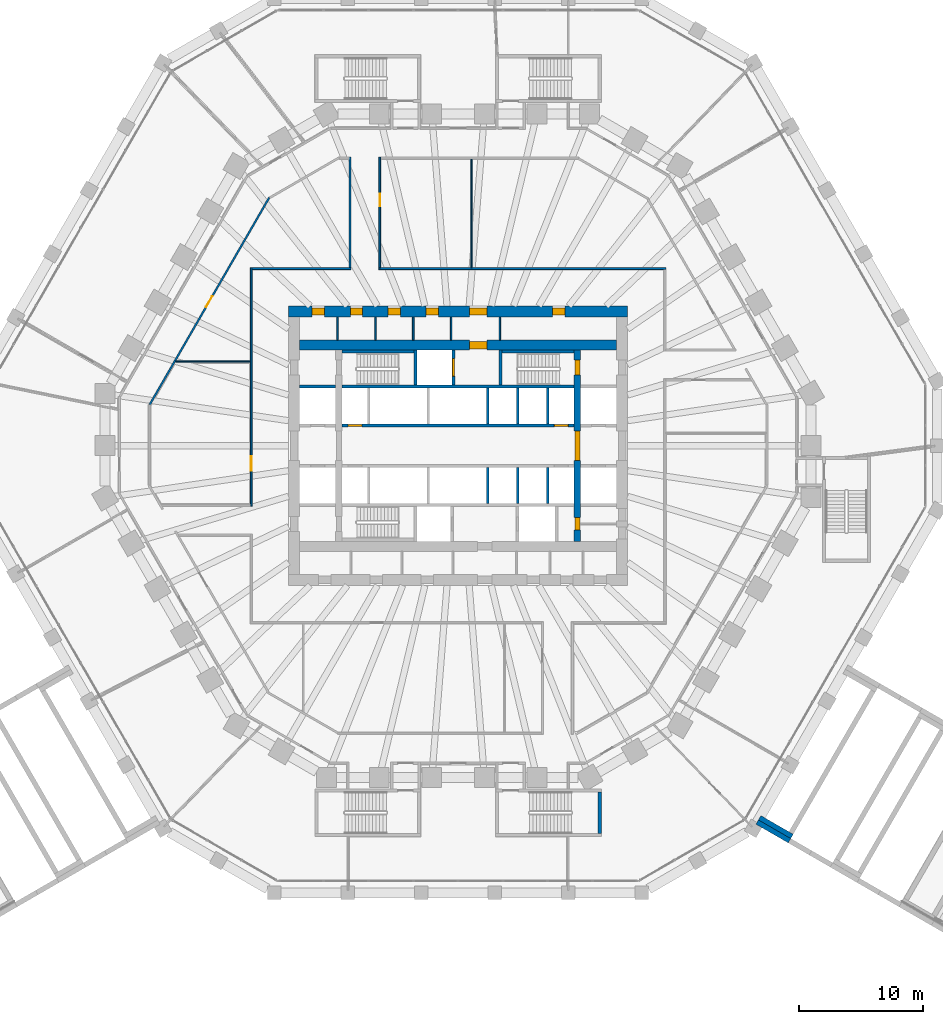
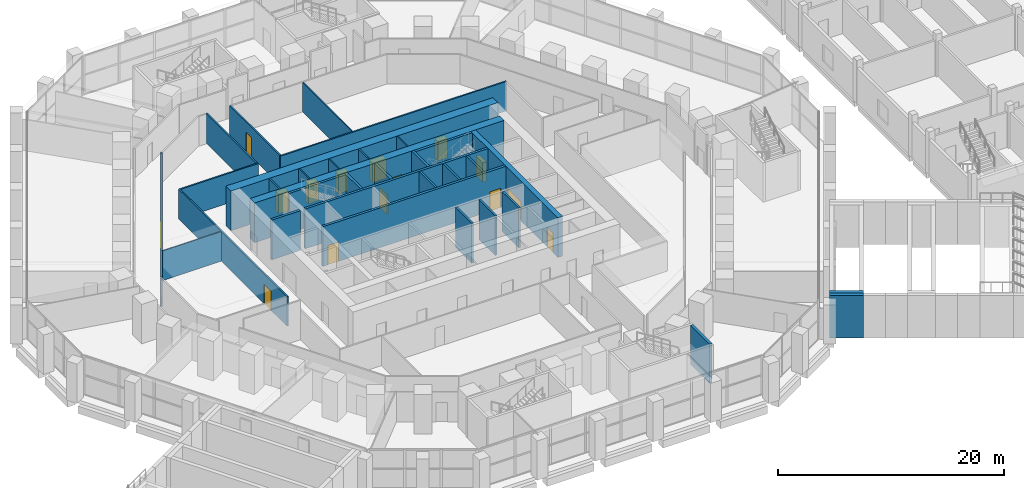
# One storey, part 21 of 38: 33 walls, 16 doors, 16 openings.
"""IFC4 building model written with IfcOpenShell, lengths in metres."""

from ifc_helpers import new_model, si_unit, direction, frame, frame_2d, origin, place, context, subcontext, project, spatial, rectangle, extrude, material, layer, layer_set, type_object, element, fill, save


model = new_model("IFC4")

# Units and contexts
model_context = context("Model", 3, precision=1e-05, world=origin(), true_north=direction((0.0, 1.0)))
body_context = subcontext(model_context, "Body", "Model", "MODEL_VIEW")
ifc_project = project(units=[si_unit("LENGTHUNIT", "METRE"), si_unit("AREAUNIT", "SQUARE_METRE"), si_unit("VOLUMEUNIT", "CUBIC_METRE"), si_unit("PLANEANGLEUNIT", "RADIAN"), si_unit("MASSUNIT", "GRAM", prefix="KILO")], contexts=[model_context])

# Site, building, storey
site_placement = place(None, origin())
site = spatial("IfcSite", under=ifc_project, at=site_placement, CompositionType="ELEMENT")
building_placement = place(site_placement, origin())
building = spatial("IfcBuilding", under=site, at=building_placement, Name="Frailejon Research Tower", CompositionType="ELEMENT")
storey_placement = place(building_placement, frame((0.0, 0.0, 5.60009765625)))
storey = spatial("IfcBuildingStorey", under=building, at=storey_placement, Name="L01", CompositionType="ELEMENT", Elevation=5.60009765625)

# Walls
ifc_material_1 = material(Name="Plasterboard on steel studs", Category="steel")
ifc_layer_1 = layer(ifc_material_1, 0.125)
ifc_layer_set_1 = layer_set([ifc_layer_1], Name="Core partition 125")
wall_type_1 = type_object("IfcWallType", Name="Core partition 125", PredefinedType="PARTITIONING", material=ifc_layer_set_1)
for number, where, z_axis, x_axis, name in (
    (1, (-9.703125, 8.5, 0.0), (0.0, 0.0, 1.0), (0.0, 1.0, 0.0), "Core partition"),
    (2, (-6.65625, 8.5, 0.0), (0.0, 0.0, 1.0), (0.0, 1.0, 0.0), "Core partition"),
    (3, (-3.609375, 8.5, 0.0), (0.0, 0.0, 1.0), (0.0, 1.0, 0.0), "Core partition"),
    (4, (-0.5625, 8.5, 0.0), (0.0, 0.0, 1.0), (0.0, 1.0, 0.0), "Core partition"),
    (5, (3.362548828125, 8.5, 0.0), (0.0, 0.0, 1.0), (0.0, 1.0, 0.0), "Core partition"),
):
    element("IfcWall", number, at=place(storey_placement, frame(where, z_axis=z_axis, x_axis=x_axis)), inside=storey, type_object=wall_type_1, Name=name, PredefinedType="PARTITIONING", context=body_context, shape_type="SweptSolid", body=[
        extrude(rectangle(XDim=1.85009765625, YDim=0.125, at=frame_2d((0.925048828125, 0.0))), origin(), (0.0, 0.0, 1.0), 4.2998046875),
    ])

# Wall, openings, doors
ifc_material_2 = material(Name="Concrete C70/85", Category="concrete")
ifc_layer_2 = layer(ifc_material_2, 0.5)
ifc_layer_set_2 = layer_set([ifc_layer_2], Name="Core shear wall 500 C70/85")
wall_type_2 = type_object("IfcWallType", Name="Core shear wall 500 C70/85", PredefinedType="SHEAR", material=ifc_layer_set_2)
wall_1_placement = place(storey_placement, frame((9.60009765625, -7.699951171875, 0.0), z_axis=(0.0, 0.0, 1.0), x_axis=(0.0, 1.0, 0.0)))
wall_1 = element("IfcWall", 6, at=wall_1_placement, inside=storey, type_object=wall_type_2, Name="Core shear wall", PredefinedType="SHEAR", context=body_context, shape_type="SweptSolid", body=[
    extrude(rectangle(XDim=15.39990234375, YDim=0.5, at=frame_2d((7.699951171875, 0.0))), origin(), (0.0, 0.0, 1.0), 4.2998046875),
])
opening_1_placement = place(wall_1_placement, frame((6.5, 0.0, 0.0)))
opening_1 = element("IfcOpeningElement", 7, at=opening_1_placement, cuts=wall_1, Name="Opening D2", PredefinedType="OPENING", context=body_context, shape_type="SweptSolid", body=[
    extrude(rectangle(XDim=2.39990234375, YDim=2.10009765625, at=frame_2d((1.199951171875, 1.050048828125))), frame((0.0, 0.260009765625, 0.0), z_axis=(0.0, -1.0, 0.0), x_axis=(1.0, 0.0, 0.0)), (0.0, 0.0, 1.0), 0.52001953125),
])
opening_2_placement = place(wall_1_placement, frame((13.39990234375, 0.0, 0.0)))
opening_2 = element("IfcOpeningElement", 8, at=opening_2_placement, cuts=wall_1, Name="Opening D1", PredefinedType="OPENING", context=body_context, shape_type="SweptSolid", body=[
    extrude(rectangle(XDim=1.199951171875, YDim=2.10009765625, at=frame_2d((0.60009765625, 1.050048828125))), frame((0.0, 0.260009765625, 0.0), z_axis=(0.0, -1.0, 0.0), x_axis=(1.0, 0.0, 0.0)), (0.0, 0.0, 1.0), 0.52001953125),
])
opening_3_placement = place(wall_1_placement, frame((0.89990234375, 0.0, 0.0)))
opening_3 = element("IfcOpeningElement", 9, at=opening_3_placement, cuts=wall_1, Name="Opening D4", PredefinedType="OPENING", context=body_context, shape_type="SweptSolid", body=[
    extrude(rectangle(XDim=1.0, YDim=2.10009765625, at=frame_2d((0.5, 1.050048828125))), frame((0.0, 0.260009765625, 0.0), z_axis=(0.0, -1.0, 0.0), x_axis=(1.0, 0.0, 0.0)), (0.0, 0.0, 1.0), 0.52001953125),
])
ifc_material_3 = material(Name="Steel", Category="steel")
door_type_1 = type_object("IfcDoorType", Name="Lobby double door", OperationType="DOUBLE_DOOR_SINGLE_SWING", PredefinedType="DOOR", material=ifc_material_3)
door_1_placement = place(opening_1_placement, origin())
door_1 = element("IfcDoor", 10, at=door_1_placement, inside=storey, type_object=door_type_1, Name="Lobby door", OperationType="DOUBLE_DOOR_SINGLE_SWING", OverallHeight=2.10009765625, OverallWidth=2.39990234375, PredefinedType="DOOR", context=body_context, shape_type="SweptSolid", body=[
    extrude(rectangle(XDim=2.39990234375, YDim=2.10009765625, at=frame_2d((1.199951171875, 1.050048828125))), frame((0.0, 0.199951171875, 0.0), z_axis=(0.0, -1.0, 0.0), x_axis=(1.0, 0.0, 0.0)), (0.0, 0.0, 1.0), 0.39990234375),
])
fill(opening_1, door_1)
ifc_material_4 = material(Name="Steel", Category="steel")
door_type_2 = type_object("IfcDoorType", Name="Service door", OperationType="SINGLE_SWING_LEFT", PredefinedType="DOOR", material=ifc_material_4)
door_2_placement = place(opening_3_placement, origin())
door_2 = element("IfcDoor", 11, at=door_2_placement, inside=storey, type_object=door_type_2, Name="Riser door", OperationType="SINGLE_SWING_LEFT", OverallHeight=2.10009765625, OverallWidth=1.0, PredefinedType="DOOR", context=body_context, shape_type="SweptSolid", body=[
    extrude(rectangle(XDim=1.0, YDim=2.10009765625, at=frame_2d((0.5, 1.050048828125))), frame((0.0, 0.199951171875, 0.0), z_axis=(0.0, -1.0, 0.0), x_axis=(1.0, 0.0, 0.0)), (0.0, 0.0, 1.0), 0.39990234375),
])
fill(opening_3, door_2)
ifc_material_5 = material(Name="Steel", Category="steel")
door_type_3 = type_object("IfcDoorType", Name="Stair door", OperationType="SINGLE_SWING_LEFT", PredefinedType="DOOR", material=ifc_material_5)
door_3_placement = place(opening_2_placement, origin())
door_3 = element("IfcDoor", 12, at=door_3_placement, inside=storey, type_object=door_type_3, Name="Stair door ST3", OperationType="SINGLE_SWING_LEFT", OverallHeight=2.10009765625, OverallWidth=1.199951171875, PredefinedType="DOOR", context=body_context, shape_type="SweptSolid", body=[
    extrude(rectangle(XDim=1.199951171875, YDim=2.10009765625, at=frame_2d((0.60009765625, 1.050048828125))), frame((0.0, 0.199951171875, 0.0), z_axis=(0.0, -1.0, 0.0), x_axis=(1.0, 0.0, 0.0)), (0.0, 0.0, 1.0), 0.39990234375),
])
fill(opening_2, door_3)

# Wall, opening, door
ifc_material_6 = material(Name="Concrete C70/85", Category="concrete")
ifc_layer_3 = layer(ifc_material_6, 0.800048828125)
ifc_layer_set_3 = layer_set([ifc_layer_3], Name="Core shear wall 800 C70/85")
wall_type_3 = type_object("IfcWallType", Name="Core shear wall 800 C70/85", PredefinedType="SHEAR", material=ifc_layer_set_3)
wall_2_placement = place(storey_placement, frame((-12.75, 8.10009765625, 0.0), z_axis=(0.0, 0.0, 1.0), x_axis=(1.0, 0.0, 0.0)))
wall_2 = element("IfcWall", 13, at=wall_2_placement, inside=storey, type_object=wall_type_3, Name="Core shear wall", PredefinedType="SHEAR", context=body_context, shape_type="SweptSolid", body=[
    extrude(rectangle(XDim=25.5, YDim=0.800048828125, at=frame_2d((12.75, 0.0))), origin(), (0.0, 0.0, 1.0), 4.2998046875),
])
opening_4_placement = place(wall_2_placement, frame((13.675048828125, 0.0, 0.0)))
opening_4 = element("IfcOpeningElement", 14, at=opening_4_placement, cuts=wall_2, Name="Opening D9", PredefinedType="OPENING", context=body_context, shape_type="SweptSolid", body=[
    extrude(rectangle(XDim=1.39990234375, YDim=2.10009765625, at=frame_2d((0.699951171875, 1.050048828125))), frame((0.0, 0.409912109375, 0.0), z_axis=(0.0, -1.0, 0.0), x_axis=(1.0, 0.0, 0.0)), (0.0, 0.0, 1.0), 0.820068359375),
])
ifc_material_7 = material(Name="Steel", Category="steel")
door_type_4 = type_object("IfcDoorType", Name="Goods lobby door", OperationType="DOUBLE_DOOR_SINGLE_SWING", PredefinedType="DOOR", material=ifc_material_7)
door_4_placement = place(opening_4_placement, origin())
door_4 = element("IfcDoor", 15, at=door_4_placement, inside=storey, type_object=door_type_4, Name="Goods lobby door", OperationType="DOUBLE_DOOR_SINGLE_SWING", OverallHeight=2.10009765625, OverallWidth=1.39990234375, PredefinedType="DOOR", context=body_context, shape_type="SweptSolid", body=[
    extrude(rectangle(XDim=1.39990234375, YDim=2.10009765625, at=frame_2d((0.699951171875, 1.050048828125))), frame((0.0, 0.300048828125, 0.0), z_axis=(0.0, -1.0, 0.0), x_axis=(1.0, 0.0, 0.0)), (0.0, 0.0, 1.0), 0.60009765625),
])
fill(opening_4, door_4)

# Wall, openings, doors
ifc_material_8 = material(Name="Concrete C70/85", Category="concrete")
ifc_layer_4 = layer(ifc_material_8, 0.89990234375)
ifc_layer_set_4 = layer_set([ifc_layer_4], Name="Core shear wall 900 C70/85")
wall_type_4 = type_object("IfcWallType", Name="Core shear wall 900 C70/85", PredefinedType="SHEAR", material=ifc_layer_set_4)
wall_3_placement = place(storey_placement, frame((-13.64990234375, 10.800048828125, 0.0), z_axis=(0.0, 0.0, 1.0), x_axis=(1.0, 0.0, 0.0)))
wall_3 = element("IfcWall", 16, at=wall_3_placement, inside=storey, type_object=wall_type_4, Name="Core shear wall", PredefinedType="SHEAR", context=body_context, shape_type="SweptSolid", body=[
    extrude(rectangle(XDim=27.2998046875, YDim=0.89990234375, at=frame_2d((13.64990234375, 0.0))), origin(), (0.0, 0.0, 1.0), 4.2998046875),
])
opening_5_placement = place(wall_3_placement, frame((1.89208984375, 0.0, 0.0)))
opening_5 = element("IfcOpeningElement", 17, at=opening_5_placement, cuts=wall_3, Name="Opening D4", PredefinedType="OPENING", context=body_context, shape_type="SweptSolid", body=[
    extrude(rectangle(XDim=1.0, YDim=2.10009765625, at=frame_2d((0.5, 1.050048828125))), frame((0.0, 0.4599609375, 0.0), z_axis=(0.0, -1.0, 0.0), x_axis=(1.0, 0.0, 0.0)), (0.0, 0.0, 1.0), 0.919921875),
])
opening_6_placement = place(wall_3_placement, frame((4.97021484375, 0.0, 0.0)))
opening_6 = element("IfcOpeningElement", 18, at=opening_6_placement, cuts=wall_3, Name="Opening D4", PredefinedType="OPENING", context=body_context, shape_type="SweptSolid", body=[
    extrude(rectangle(XDim=1.0, YDim=2.10009765625, at=frame_2d((0.5, 1.050048828125))), frame((0.0, 0.4599609375, 0.0), z_axis=(0.0, -1.0, 0.0), x_axis=(1.0, 0.0, 0.0)), (0.0, 0.0, 1.0), 0.919921875),
])
opening_7_placement = place(wall_3_placement, frame((8.01708984375, 0.0, 0.0)))
opening_7 = element("IfcOpeningElement", 19, at=opening_7_placement, cuts=wall_3, Name="Opening D4", PredefinedType="OPENING", context=body_context, shape_type="SweptSolid", body=[
    extrude(rectangle(XDim=1.0, YDim=2.10009765625, at=frame_2d((0.5, 1.050048828125))), frame((0.0, 0.4599609375, 0.0), z_axis=(0.0, -1.0, 0.0), x_axis=(1.0, 0.0, 0.0)), (0.0, 0.0, 1.0), 0.919921875),
])
opening_8_placement = place(wall_3_placement, frame((11.064208984375, 0.0, 0.0)))
opening_8 = element("IfcOpeningElement", 20, at=opening_8_placement, cuts=wall_3, Name="Opening D4", PredefinedType="OPENING", context=body_context, shape_type="SweptSolid", body=[
    extrude(rectangle(XDim=1.0, YDim=2.10009765625, at=frame_2d((0.5, 1.050048828125))), frame((0.0, 0.4599609375, 0.0), z_axis=(0.0, -1.0, 0.0), x_axis=(1.0, 0.0, 0.0)), (0.0, 0.0, 1.0), 0.919921875),
])
opening_9_placement = place(wall_3_placement, frame((21.237548828125, 0.0, 0.0)))
opening_9 = element("IfcOpeningElement", 21, at=opening_9_placement, cuts=wall_3, Name="Opening D4", PredefinedType="OPENING", context=body_context, shape_type="SweptSolid", body=[
    extrude(rectangle(XDim=1.0, YDim=2.10009765625, at=frame_2d((0.5, 1.050048828125))), frame((0.0, 0.4599609375, 0.0), z_axis=(0.0, -1.0, 0.0), x_axis=(1.0, 0.0, 0.0)), (0.0, 0.0, 1.0), 0.919921875),
])
opening_10_placement = place(wall_3_placement, frame((14.574951171875, 0.0, 0.0)))
opening_10 = element("IfcOpeningElement", 22, at=opening_10_placement, cuts=wall_3, Name="Opening D9", PredefinedType="OPENING", context=body_context, shape_type="SweptSolid", body=[
    extrude(rectangle(XDim=1.39990234375, YDim=2.10009765625, at=frame_2d((0.699951171875, 1.050048828125))), frame((0.0, 0.4599609375, 0.0), z_axis=(0.0, -1.0, 0.0), x_axis=(1.0, 0.0, 0.0)), (0.0, 0.0, 1.0), 0.919921875),
])
door_5_placement = place(opening_10_placement, origin())
door_5 = element("IfcDoor", 23, at=door_5_placement, inside=storey, type_object=door_type_4, Name="Passage door", OperationType="DOUBLE_DOOR_SINGLE_SWING", OverallHeight=2.10009765625, OverallWidth=1.39990234375, PredefinedType="DOOR", context=body_context, shape_type="SweptSolid", body=[
    extrude(rectangle(XDim=1.39990234375, YDim=2.10009765625, at=frame_2d((0.699951171875, 1.050048828125))), frame((0.0, 0.300048828125, 0.0), z_axis=(0.0, -1.0, 0.0), x_axis=(1.0, 0.0, 0.0)), (0.0, 0.0, 1.0), 0.60009765625),
])
fill(opening_10, door_5)
door_6_placement = place(opening_5_placement, origin())
door_6 = element("IfcDoor", 24, at=door_6_placement, inside=storey, type_object=door_type_2, Name="Room door", OperationType="SINGLE_SWING_RIGHT", OverallHeight=2.10009765625, OverallWidth=1.0, PredefinedType="DOOR", context=body_context, shape_type="SweptSolid", body=[
    extrude(rectangle(XDim=1.0, YDim=2.10009765625, at=frame_2d((0.5, 1.050048828125))), frame((0.0, 0.300048828125, 0.0), z_axis=(0.0, -1.0, 0.0), x_axis=(1.0, 0.0, 0.0)), (0.0, 0.0, 1.0), 0.60009765625),
])
fill(opening_5, door_6)
door_7_placement = place(opening_6_placement, origin())
door_7 = element("IfcDoor", 25, at=door_7_placement, inside=storey, type_object=door_type_2, Name="Room door", OperationType="SINGLE_SWING_LEFT", OverallHeight=2.10009765625, OverallWidth=1.0, PredefinedType="DOOR", context=body_context, shape_type="SweptSolid", body=[
    extrude(rectangle(XDim=1.0, YDim=2.10009765625, at=frame_2d((0.5, 1.050048828125))), frame((0.0, 0.300048828125, 0.0), z_axis=(0.0, -1.0, 0.0), x_axis=(1.0, 0.0, 0.0)), (0.0, 0.0, 1.0), 0.60009765625),
])
fill(opening_6, door_7)
door_8_placement = place(opening_7_placement, origin())
door_8 = element("IfcDoor", 26, at=door_8_placement, inside=storey, type_object=door_type_2, Name="Room door", OperationType="SINGLE_SWING_RIGHT", OverallHeight=2.10009765625, OverallWidth=1.0, PredefinedType="DOOR", context=body_context, shape_type="SweptSolid", body=[
    extrude(rectangle(XDim=1.0, YDim=2.10009765625, at=frame_2d((0.5, 1.050048828125))), frame((0.0, 0.300048828125, 0.0), z_axis=(0.0, -1.0, 0.0), x_axis=(1.0, 0.0, 0.0)), (0.0, 0.0, 1.0), 0.60009765625),
])
fill(opening_7, door_8)
door_9_placement = place(opening_8_placement, origin())
door_9 = element("IfcDoor", 27, at=door_9_placement, inside=storey, type_object=door_type_2, Name="Room door", OperationType="SINGLE_SWING_LEFT", OverallHeight=2.10009765625, OverallWidth=1.0, PredefinedType="DOOR", context=body_context, shape_type="SweptSolid", body=[
    extrude(rectangle(XDim=1.0, YDim=2.10009765625, at=frame_2d((0.5, 1.050048828125))), frame((0.0, 0.300048828125, 0.0), z_axis=(0.0, -1.0, 0.0), x_axis=(1.0, 0.0, 0.0)), (0.0, 0.0, 1.0), 0.60009765625),
])
fill(opening_8, door_9)
door_10_placement = place(opening_9_placement, origin())
door_10 = element("IfcDoor", 28, at=door_10_placement, inside=storey, type_object=door_type_2, Name="Room door", OperationType="SINGLE_SWING_RIGHT", OverallHeight=2.10009765625, OverallWidth=1.0, PredefinedType="DOOR", context=body_context, shape_type="SweptSolid", body=[
    extrude(rectangle(XDim=1.0, YDim=2.10009765625, at=frame_2d((0.5, 1.050048828125))), frame((0.0, 0.300048828125, 0.0), z_axis=(0.0, -1.0, 0.0), x_axis=(1.0, 0.0, 0.0)), (0.0, 0.0, 1.0), 0.60009765625),
])
fill(opening_9, door_10)

# Wall, opening, door
ifc_material_9 = material(Name="Gypsum board and masonry partition", Category="masonry")
ifc_layer_5 = layer(ifc_material_9, 0.14990234375)
ifc_layer_set_5 = layer_set([ifc_layer_5], Name="Corridor wall EI 60, gypsum on steel studs 150")
wall_type_5 = type_object("IfcWallType", Name="Corridor wall EI 60, gypsum on steel studs 150", PredefinedType="PARTITIONING", material=ifc_layer_set_5)
wall_4_placement = place(storey_placement, frame((-24.8251953125, 3.30126953125, 0.0), z_axis=(0.0, 0.0, 1.0), x_axis=(0.499992422807, 0.866029778435, 0.0)))
wall_4 = element("IfcWall", 29, at=wall_4_placement, inside=storey, type_object=wall_type_5, Name="T:IW:L01:020", PredefinedType="PARTITIONING", context=body_context, shape_type="SweptSolid", body=[
    extrude(rectangle(XDim=19.257080078125, YDim=0.14990234375, at=frame_2d((9.62841796875, 0.0))), origin(), (0.0, 0.0, 1.0), 3.199951171875),
])
opening_11_placement = place(wall_4_placement, frame((9.074462890625, 0.0, 0.0)))
opening_11 = element("IfcOpeningElement", 30, at=opening_11_placement, cuts=wall_4, Name="Opening D1039", PredefinedType="OPENING", context=body_context, shape_type="SweptSolid", body=[
    extrude(rectangle(XDim=1.0, YDim=2.10009765625, at=frame_2d((0.5, 1.050048828125))), frame((0.0, 0.0849609375, 0.0), z_axis=(0.0, -1.0, 0.0), x_axis=(1.0, 0.0, 0.0)), (0.0, 0.0, 1.0), 0.169921875),
])
ifc_material_10 = material(Name="Timber door leaf", Category="wood")
door_type_5 = type_object("IfcDoorType", Name="Door single leaf, timber, steel frame 1000", OperationType="NOTDEFINED", PredefinedType="DOOR", material=ifc_material_10)
door_11_placement = place(opening_11_placement, origin())
door_11 = element("IfcDoor", 31, at=door_11_placement, inside=storey, type_object=door_type_5, Name="D1039", OperationType="SINGLE_SWING_RIGHT", OverallHeight=2.10009765625, OverallWidth=1.0, PredefinedType="DOOR", context=body_context, shape_type="SweptSolid", body=[
    extrude(rectangle(XDim=1.0, YDim=2.10009765625, at=frame_2d((0.5, 1.050048828125))), frame((0.0, 0.02490234375, 0.0), z_axis=(0.0, -1.0, 0.0), x_axis=(1.0, 0.0, 0.0)), (0.0, 0.0, 1.0), 0.050048828125),
])
fill(opening_11, door_11)

wall_5_placement = place(storey_placement, frame((-6.300048828125, 14.324951171875, 0.0), z_axis=(0.0, 0.0, 1.0), x_axis=(0.0, 1.0, 0.0)))
wall_5 = element("IfcWall", 32, at=wall_5_placement, inside=storey, type_object=wall_type_5, Name="T:IW:L01:038", PredefinedType="PARTITIONING", context=body_context, shape_type="SweptSolid", body=[
    extrude(rectangle(XDim=8.900146484375, YDim=0.14990234375, at=frame_2d((4.4501953125, 0.0))), origin(), (0.0, 0.0, 1.0), 3.199951171875),
])
opening_12_placement = place(wall_5_placement, frame((4.955078125, 0.0, 0.0)))
opening_12 = element("IfcOpeningElement", 33, at=opening_12_placement, cuts=wall_5, Name="Opening D1036", PredefinedType="OPENING", context=body_context, shape_type="SweptSolid", body=[
    extrude(rectangle(XDim=1.0, YDim=2.10009765625, at=frame_2d((0.5, 1.050048828125))), frame((0.0, 0.0849609375, 0.0), z_axis=(0.0, -1.0, 0.0), x_axis=(1.0, 0.0, 0.0)), (0.0, 0.0, 1.0), 0.169921875),
])
door_12_placement = place(opening_12_placement, origin())
door_12 = element("IfcDoor", 34, at=door_12_placement, inside=storey, type_object=door_type_5, Name="D1036", OperationType="SINGLE_SWING_RIGHT", OverallHeight=2.10009765625, OverallWidth=1.0, PredefinedType="DOOR", context=body_context, shape_type="SweptSolid", body=[
    extrude(rectangle(XDim=1.0, YDim=2.10009765625, at=frame_2d((0.5, 1.050048828125))), frame((0.0, 0.02490234375, 0.0), z_axis=(0.0, -1.0, 0.0), x_axis=(1.0, 0.0, 0.0)), (0.0, 0.0, 1.0), 0.050048828125),
])
fill(opening_12, door_12)

# Walls
wall_6_placement = place(storey_placement, frame((-8.699951171875, 14.324951171875, 0.0), z_axis=(0.0, 0.0, 1.0), x_axis=(0.0, 1.0, 0.0)))
element("IfcWall", 35, at=wall_6_placement, inside=storey, type_object=wall_type_5, Name="T:IW:L01:039", PredefinedType="PARTITIONING", context=body_context, shape_type="SweptSolid", body=[
    extrude(rectangle(XDim=8.900146484375, YDim=0.14990234375, at=frame_2d((4.4501953125, 0.0))), origin(), (0.0, 0.0, 1.0), 3.199951171875),
])
wall_7_placement = place(storey_placement, frame((-16.574951171875, 14.25, 0.0), z_axis=(0.0, 0.0, 1.0), x_axis=(1.0, 0.0, 0.0)))
element("IfcWall", 36, at=wall_7_placement, inside=storey, type_object=wall_type_5, Name="T:IW:L01:044", PredefinedType="PARTITIONING", context=body_context, shape_type="SweptSolid", body=[
    extrude(rectangle(XDim=7.949951171875, YDim=0.14990234375, at=frame_2d((3.97509765625, 0.0))), origin(), (0.0, 0.0, 1.0), 3.199951171875),
])
wall_8_placement = place(storey_placement, frame((-6.375, 14.25, 0.0), z_axis=(0.0, 0.0, 1.0), x_axis=(1.0, 0.0, 0.0)))
element("IfcWall", 37, at=wall_8_placement, inside=storey, type_object=wall_type_5, Name="T:IW:L01:045", PredefinedType="PARTITIONING", context=body_context, shape_type="SweptSolid", body=[
    extrude(rectangle(XDim=23.10009765625, YDim=0.14990234375, at=frame_2d((11.550048828125, 0.0))), origin(), (0.0, 0.0, 1.0), 3.199951171875),
])

# Wall, opening, door
wall_9_placement = place(storey_placement, frame((-16.64990234375, -4.875, 0.0), z_axis=(0.0, 0.0, 1.0), x_axis=(0.0, 1.0, 0.0)))
wall_9 = element("IfcWall", 38, at=wall_9_placement, inside=storey, type_object=wall_type_5, Name="T:IW:L01:047", PredefinedType="PARTITIONING", context=body_context, shape_type="SweptSolid", body=[
    extrude(rectangle(XDim=19.199951171875, YDim=0.14990234375, at=frame_2d((9.60009765625, 0.0))), origin(), (0.0, 0.0, 1.0), 3.199951171875),
])
opening_13_placement = place(wall_9_placement, frame((2.84326171875, 0.0, 0.0)))
opening_13 = element("IfcOpeningElement", 39, at=opening_13_placement, cuts=wall_9, Name="Opening D1042", PredefinedType="OPENING", context=body_context, shape_type="SweptSolid", body=[
    extrude(rectangle(XDim=1.199951171875, YDim=2.10009765625, at=frame_2d((0.60009765625, 1.050048828125))), frame((0.0, 0.0849609375, 0.0), z_axis=(0.0, -1.0, 0.0), x_axis=(1.0, 0.0, 0.0)), (0.0, 0.0, 1.0), 0.169921875),
])
ifc_material_11 = material(Name="Timber door leaf", Category="wood")
door_type_6 = type_object("IfcDoorType", Name="Door single leaf, timber, steel frame 1200", OperationType="NOTDEFINED", PredefinedType="DOOR", material=ifc_material_11)
door_13_placement = place(opening_13_placement, origin())
door_13 = element("IfcDoor", 40, at=door_13_placement, inside=storey, type_object=door_type_6, Name="D1042", OperationType="DOUBLE_DOOR_SINGLE_SWING", OverallHeight=2.10009765625, OverallWidth=1.199951171875, PredefinedType="DOOR", context=body_context, shape_type="SweptSolid", body=[
    extrude(rectangle(XDim=1.199951171875, YDim=2.10009765625, at=frame_2d((0.60009765625, 1.050048828125))), frame((0.0, 0.02490234375, 0.0), z_axis=(0.0, -1.0, 0.0), x_axis=(1.0, 0.0, 0.0)), (0.0, 0.0, 1.0), 0.050048828125),
])
fill(opening_13, door_13)

# Walls
ifc_material_12 = material(Name="Gypsum board and masonry partition", Category="masonry")
ifc_layer_6 = layer(ifc_material_12, 0.10009765625)
ifc_layer_set_6 = layer_set([ifc_layer_6], Name="Partition, gypsum on steel studs 100")
wall_type_6 = type_object("IfcWallType", Name="Partition, gypsum on steel studs 100", PredefinedType="PARTITIONING", material=ifc_layer_set_6)
wall_10_placement = place(storey_placement, frame((1.072998046875, 14.324951171875, 0.0), z_axis=(0.0, 0.0, 1.0), x_axis=(0.0, 1.0, 0.0)))
element("IfcWall", 41, at=wall_10_placement, inside=storey, type_object=wall_type_6, Name="T:IW:L01:072", PredefinedType="PARTITIONING", context=body_context, shape_type="SweptSolid", body=[
    extrude(rectangle(XDim=8.75, YDim=0.10009765625, at=frame_2d((4.375, 0.0))), origin(), (0.0, 0.0, 1.0), 3.199951171875),
])
wall_11_placement = place(storey_placement, frame((-22.745849609375, 6.77294921875, 0.0), z_axis=(0.0, 0.0, 1.0), x_axis=(1.0, 0.0, 0.0)))
element("IfcWall", 42, at=wall_11_placement, inside=storey, type_object=wall_type_6, Name="T:IW:L01:078", PredefinedType="PARTITIONING", context=body_context, shape_type="SweptSolid", body=[
    extrude(rectangle(XDim=6.020751953125, YDim=0.10009765625, at=frame_2d((3.01025390625, 0.0))), origin(), (0.0, 0.0, 1.0), 3.199951171875),
])
ifc_material_13 = material(Name="Concrete C70/85", Category="concrete")
ifc_layer_7 = layer(ifc_material_13, 0.199951171875)
ifc_layer_set_7 = layer_set([ifc_layer_7], Name="Shaft wall 200 C70/85")
wall_type_7 = type_object("IfcWallType", Name="Shaft wall 200 C70/85", PredefinedType="SOLIDWALL", material=ifc_layer_set_7)
for number, where, z_axis, x_axis, name in (
    (43, (2.39990234375, 1.75, 0.0), (0.0, 0.0, 1.0), (0.0, 1.0, 0.0), "Shaft wall"),
    (44, (4.800048828125, 1.75, 0.0), (0.0, 0.0, 1.0), (0.0, 1.0, 0.0), "Shaft wall"),
    (45, (7.199951171875, 1.75, 0.0), (0.0, 0.0, 1.0), (0.0, 1.0, 0.0), "Shaft wall"),
    (46, (2.39990234375, -4.64990234375, 0.0), (0.0, 0.0, 1.0), (0.0, 1.0, 0.0), "Shaft wall"),
    (47, (4.800048828125, -4.64990234375, 0.0), (0.0, 0.0, 1.0), (0.0, 1.0, 0.0), "Shaft wall"),
    (48, (7.199951171875, -4.64990234375, 0.0), (0.0, 0.0, 1.0), (0.0, 1.0, 0.0), "Shaft wall"),
):
    element("IfcWall", number, at=place(storey_placement, frame(where, z_axis=z_axis, x_axis=x_axis)), inside=storey, type_object=wall_type_7, Name=name, PredefinedType="SOLIDWALL", context=body_context, shape_type="SweptSolid", body=[
        extrude(rectangle(XDim=2.89990234375, YDim=0.199951171875, at=frame_2d((1.449951171875, 0.0))), origin(), (0.0, 0.0, 1.0), 4.2998046875),
    ])

# Wall, openings, doors
ifc_material_14 = material(Name="Concrete C70/85", Category="concrete")
ifc_layer_8 = layer(ifc_material_14, 0.25)
ifc_layer_set_8 = layer_set([ifc_layer_8], Name="Shaft wall 250 C70/85")
wall_type_8 = type_object("IfcWallType", Name="Shaft wall 250 C70/85", PredefinedType="SOLIDWALL", material=ifc_layer_set_8)
wall_12_placement = place(storey_placement, frame((-9.35009765625, 1.625, 0.0), z_axis=(0.0, 0.0, 1.0), x_axis=(1.0, 0.0, 0.0)))
wall_12 = element("IfcWall", 49, at=wall_12_placement, inside=storey, type_object=wall_type_8, Name="Shaft wall", PredefinedType="SOLIDWALL", context=body_context, shape_type="SweptSolid", body=[
    extrude(rectangle(XDim=18.7001953125, YDim=0.25, at=frame_2d((9.35009765625, 0.0))), origin(), (0.0, 0.0, 1.0), 4.2998046875),
])
opening_14_placement = place(wall_12_placement, frame((0.5, 0.0, 0.0)))
opening_14 = element("IfcOpeningElement", 50, at=opening_14_placement, cuts=wall_12, Name="Opening LD", PredefinedType="OPENING", context=body_context, shape_type="SweptSolid", body=[
    extrude(rectangle(XDim=1.10009765625, YDim=2.10009765625, at=frame_2d((0.550048828125, 1.050048828125))), frame((0.0, 0.135009765625, 0.0), z_axis=(0.0, -1.0, 0.0), x_axis=(1.0, 0.0, 0.0)), (0.0, 0.0, 1.0), 0.27001953125),
])
opening_15_placement = place(wall_12_placement, frame((17.10009765625, 0.0, 0.0)))
opening_15 = element("IfcOpeningElement", 51, at=opening_15_placement, cuts=wall_12, Name="Opening LD", PredefinedType="OPENING", context=body_context, shape_type="SweptSolid", body=[
    extrude(rectangle(XDim=1.10009765625, YDim=2.10009765625, at=frame_2d((0.550048828125, 1.050048828125))), frame((0.0, 0.135009765625, 0.0), z_axis=(0.0, -1.0, 0.0), x_axis=(1.0, 0.0, 0.0)), (0.0, 0.0, 1.0), 0.27001953125),
])
ifc_material_15 = material(Name="Steel", Category="steel")
door_type_7 = type_object("IfcDoorType", Name="Lift landing door", OperationType="DOUBLE_DOOR_SLIDING", PredefinedType="DOOR", material=ifc_material_15)
door_14_placement = place(opening_14_placement, origin())
door_14 = element("IfcDoor", 52, at=door_14_placement, inside=storey, type_object=door_type_7, Name="Lift landing door", OperationType="DOUBLE_DOOR_SLIDING", OverallHeight=2.10009765625, OverallWidth=1.10009765625, PredefinedType="DOOR", context=body_context, shape_type="SweptSolid", body=[
    extrude(rectangle(XDim=1.10009765625, YDim=2.10009765625, at=frame_2d((0.550048828125, 1.050048828125))), frame((0.0, 0.074951171875, 0.0), z_axis=(0.0, -1.0, 0.0), x_axis=(1.0, 0.0, 0.0)), (0.0, 0.0, 1.0), 0.14990234375),
])
fill(opening_14, door_14)
door_15_placement = place(opening_15_placement, origin())
door_15 = element("IfcDoor", 53, at=door_15_placement, inside=storey, type_object=door_type_7, Name="Lift landing door", OperationType="DOUBLE_DOOR_SLIDING", OverallHeight=2.10009765625, OverallWidth=1.10009765625, PredefinedType="DOOR", context=body_context, shape_type="SweptSolid", body=[
    extrude(rectangle(XDim=1.10009765625, YDim=2.10009765625, at=frame_2d((0.550048828125, 1.050048828125))), frame((0.0, 0.074951171875, 0.0), z_axis=(0.0, -1.0, 0.0), x_axis=(1.0, 0.0, 0.0)), (0.0, 0.0, 1.0), 0.14990234375),
])
fill(opening_15, door_15)

# Walls
wall_13_placement = place(storey_placement, frame((-12.75, 4.77490234375, 0.0), z_axis=(0.0, 0.0, 1.0), x_axis=(1.0, 0.0, 0.0)))
element("IfcWall", 54, at=wall_13_placement, inside=storey, type_object=wall_type_8, Name="Shaft wall", PredefinedType="SOLIDWALL", context=body_context, shape_type="SweptSolid", body=[
    extrude(rectangle(XDim=2.89990234375, YDim=0.25, at=frame_2d((1.449951171875, 0.0))), origin(), (0.0, 0.0, 1.0), 4.2998046875),
])
wall_14_placement = place(storey_placement, frame((-9.35009765625, 4.77490234375, 0.0), z_axis=(0.0, 0.0, 1.0), x_axis=(1.0, 0.0, 0.0)))
element("IfcWall", 55, at=wall_14_placement, inside=storey, type_object=wall_type_8, Name="Shaft wall", PredefinedType="SOLIDWALL", context=body_context, shape_type="SweptSolid", body=[
    extrude(rectangle(XDim=18.7001953125, YDim=0.25, at=frame_2d((9.35009765625, 0.0))), origin(), (0.0, 0.0, 1.0), 4.2998046875),
])
for number, where, z_axis, x_axis, name in (
    (56, (-9.35009765625, 7.574951171875, 0.0), (0.0, 0.0, 1.0), (1.0, 0.0, 0.0), "Shaft wall"),
    (57, (3.550048828125, 7.574951171875, 0.0), (0.0, 0.0, 1.0), (1.0, 0.0, 0.0), "Shaft wall"),
):
    element("IfcWall", number, at=place(storey_placement, frame(where, z_axis=z_axis, x_axis=x_axis)), inside=storey, type_object=wall_type_8, Name=name, PredefinedType="SOLIDWALL", context=body_context, shape_type="SweptSolid", body=[
        extrude(rectangle(XDim=5.800048828125, YDim=0.25, at=frame_2d((2.89990234375, 0.0))), origin(), (0.0, 0.0, 1.0), 4.2998046875),
    ])
wall_15_placement = place(storey_placement, frame((-3.425048828125, 4.89990234375, 0.0), z_axis=(0.0, 0.0, 1.0), x_axis=(0.0, 1.0, 0.0)))
element("IfcWall", 58, at=wall_15_placement, inside=storey, type_object=wall_type_8, Name="Shaft wall", PredefinedType="SOLIDWALL", context=body_context, shape_type="SweptSolid", body=[
    extrude(rectangle(XDim=2.800048828125, YDim=0.25, at=frame_2d((1.39990234375, 0.0))), origin(), (0.0, 0.0, 1.0), 4.2998046875),
])

# Wall, opening, door
wall_16_placement = place(storey_placement, frame((-0.375, 4.89990234375, 0.0), z_axis=(0.0, 0.0, 1.0), x_axis=(0.0, 1.0, 0.0)))
wall_16 = element("IfcWall", 59, at=wall_16_placement, inside=storey, type_object=wall_type_8, Name="Shaft wall", PredefinedType="SOLIDWALL", context=body_context, shape_type="SweptSolid", body=[
    extrude(rectangle(XDim=2.800048828125, YDim=0.25, at=frame_2d((1.39990234375, 0.0))), origin(), (0.0, 0.0, 1.0), 4.2998046875),
])
opening_16_placement = place(wall_16_placement, frame((0.699951171875, 0.0, 0.0)))
opening_16 = element("IfcOpeningElement", 60, at=opening_16_placement, cuts=wall_16, Name="Opening LD2", PredefinedType="OPENING", context=body_context, shape_type="SweptSolid", body=[
    extrude(rectangle(XDim=1.39990234375, YDim=2.10009765625, at=frame_2d((0.699951171875, 1.050048828125))), frame((0.0, 0.135009765625, 0.0), z_axis=(0.0, -1.0, 0.0), x_axis=(1.0, 0.0, 0.0)), (0.0, 0.0, 1.0), 0.27001953125),
])
ifc_material_16 = material(Name="Stainless steel", Category="steel")
door_type_8 = type_object("IfcDoorType", Name="Goods landing door", OperationType="DOUBLE_DOOR_SLIDING", PredefinedType="DOOR", material=ifc_material_16)
door_16_placement = place(opening_16_placement, origin())
door_16 = element("IfcDoor", 61, at=door_16_placement, inside=storey, type_object=door_type_8, Name="Lift landing door", OperationType="DOUBLE_DOOR_SLIDING", OverallHeight=2.10009765625, OverallWidth=1.39990234375, PredefinedType="DOOR", context=body_context, shape_type="SweptSolid", body=[
    extrude(rectangle(XDim=1.39990234375, YDim=2.10009765625, at=frame_2d((0.699951171875, 1.050048828125))), frame((0.0, 0.074951171875, 0.0), z_axis=(0.0, -1.0, 0.0), x_axis=(1.0, 0.0, 0.0)), (0.0, 0.0, 1.0), 0.14990234375),
])
fill(opening_16, door_16)

# Walls
wall_17_placement = place(storey_placement, frame((3.425048828125, 4.89990234375, 0.0), z_axis=(0.0, 0.0, 1.0), x_axis=(0.0, 1.0, 0.0)))
element("IfcWall", 62, at=wall_17_placement, inside=storey, type_object=wall_type_8, Name="Shaft wall", PredefinedType="SOLIDWALL", context=body_context, shape_type="SweptSolid", body=[
    extrude(rectangle(XDim=2.800048828125, YDim=0.25, at=frame_2d((1.39990234375, 0.0))), origin(), (0.0, 0.0, 1.0), 4.2998046875),
])
ifc_material_17 = material(Name="Concrete C50/60", Category="concrete")
ifc_layer_9 = layer(ifc_material_17, 0.25)
ifc_layer_set_9 = layer_set([ifc_layer_9], Name="Stair enclosure wall EI 120, Concrete C50/60 250")
wall_type_9 = type_object("IfcWallType", Name="Stair enclosure wall EI 120, Concrete C50/60 250", PredefinedType="SOLIDWALL", material=ifc_layer_set_9)
wall_18_placement = place(storey_placement, frame((11.40185546875, -31.22509765625, 0.0), z_axis=(0.0, 0.0, 1.0), x_axis=(0.0, 1.0, 0.0)))
element("IfcWall", 63, at=wall_18_placement, inside=storey, type_object=wall_type_9, Name="T:IW:L01:098", PredefinedType="SOLIDWALL", context=body_context, shape_type="SweptSolid", body=[
    extrude(rectangle(XDim=3.35009765625, YDim=0.25, at=frame_2d((1.675048828125, 0.0))), origin(), (0.0, 0.0, 1.0), 4.25),
])
ifc_material_18 = material(Name="Concrete C35/45", Category="concrete")
ifc_layer_10 = layer(ifc_material_18, 0.39990234375)
ifc_layer_set_10 = layer_set([ifc_layer_10], Name="Stair plinth wall 400")
wall_type_10 = type_object("IfcWallType", Name="Stair plinth wall 400", PredefinedType="SOLIDWALL", material=ifc_layer_set_10)
for number, where, z_axis, x_axis, name in (
    (64, (24.27685546875, -29.951171875, 0.0), (0.0, 0.0, 1.0), (0.866031096941, -0.499990139034, 0.0), "Broad stair E plinth"),
    (65, (24.076904296875, -30.297607421875, 0.0), (0.0, 0.0, 1.0), (0.866031096941, -0.499990139034, 0.0), "Broad stair E cheek wall"),
):
    element("IfcWall", number, at=place(storey_placement, frame(where, z_axis=z_axis, x_axis=x_axis)), inside=storey, type_object=wall_type_10, Name=name, PredefinedType="SOLIDWALL", context=body_context, shape_type="SweptSolid", body=[
        extrude(rectangle(XDim=3.0, YDim=0.39990234375, at=frame_2d((1.5, 0.0))), origin(), (0.0, 0.0, 1.0), 4.599853515625),
    ])

save(model, "model.ifc")
